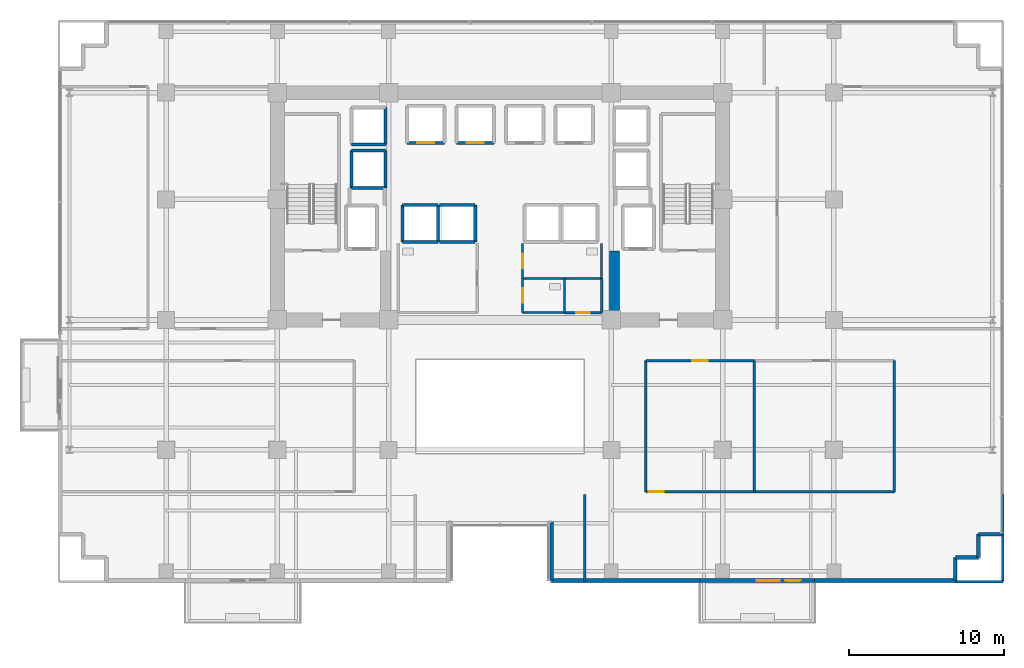
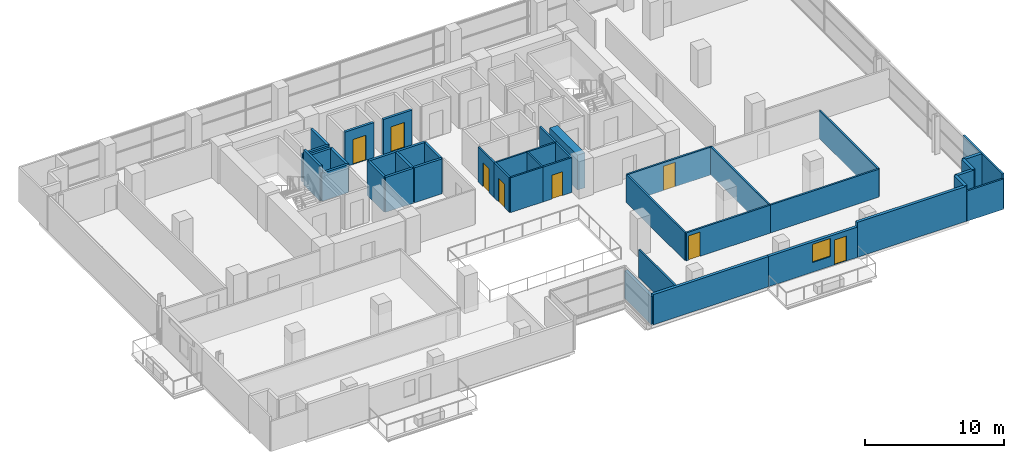
# One storey, part 25 of 31: 41 walls, 8 doors, 1 window, 9 openings.
"""IFC4 building model written with IfcOpenShell, lengths in metres."""

from ifc_helpers import new_model, si_unit, direction, frame, frame_2d, origin, place, context, subcontext, project, spatial, rectangle, extrude, source, transform, mapped, material, layer, layer_set, type_object, element, fill, save


model = new_model("IFC4")

# Units and contexts
model_context = context("Model", 3, precision=1e-05, world=origin(), true_north=direction((0.0, 1.0)))
body_context = subcontext(model_context, "Body", "Model", "MODEL_VIEW")
ifc_project = project(units=[si_unit("LENGTHUNIT", "METRE"), si_unit("AREAUNIT", "SQUARE_METRE"), si_unit("VOLUMEUNIT", "CUBIC_METRE"), si_unit("PLANEANGLEUNIT", "RADIAN"), si_unit("MASSUNIT", "GRAM", prefix="KILO")], contexts=[model_context])

# Site, building, storey
site_placement = place(None, origin())
site = spatial("IfcSite", under=ifc_project, at=site_placement, CompositionType="ELEMENT")
building_placement = place(site_placement, origin())
building = spatial("IfcBuilding", under=site, at=building_placement, Name="Zarnakvel Exchange Tower", CompositionType="ELEMENT")
storey_placement = place(building_placement, frame((0.0, 0.0, 60.39990234375)))
storey = spatial("IfcBuildingStorey", under=building, at=storey_placement, Name="L16", CompositionType="ELEMENT", Elevation=60.39990234375)

# Wall
ifc_material_1 = material(Name="Concrete C80/95", Category="concrete")
ifc_layer_1 = layer(ifc_material_1, 0.64990234375)
ifc_layer_set_1 = layer_set([ifc_layer_1], Name="Concrete C80/95")
wall_type_1 = type_object("IfcWallType", Name="CW-C2", PredefinedType="SHEAR", material=ifc_layer_set_1)
wall_1_placement = place(storey_placement, frame((7.39990234375, -0.75, 0.0), z_axis=(0.0, 0.0, 1.0), x_axis=(0.0, 1.0, 0.0)))
element("IfcWall", 1, at=wall_1_placement, inside=storey, type_object=wall_type_1, Name="L16 Rear Core Shear Wall IE (CW-C2)", PredefinedType="SHEAR", context=body_context, shape_type="SweptSolid", body=[
    extrude(rectangle(XDim=4.0, YDim=0.64990234375, at=frame_2d((2.0, 0.0))), origin(), (0.0, 0.0, 1.0), 3.0751953125),
])

# Wall, openings, door, window
ifc_material_2 = material(Name="Precast concrete C40/50", Category="concrete")
ifc_layer_2 = layer(ifc_material_2, 0.239990234375)
ifc_layer_set_2 = layer_set([ifc_layer_2], Name="Precast concrete C40/50")
wall_type_2 = type_object("IfcWallType", Name="EW-02", PredefinedType="SOLIDWALL", material=ifc_layer_set_2)
wall_2_placement = place(storey_placement, frame((20.35009765625, -18.06005859375, 0.0), z_axis=(0.0, 0.0, 1.0), x_axis=(-1.0, 0.0, 0.0)))
wall_2 = element("IfcWall", 2, at=wall_2_placement, inside=storey, type_object=wall_type_2, Name="L16 Exterior Precast Spandrel Wall EW-BAL-L16-SE (EW-02)", PredefinedType="SOLIDWALL", context=body_context, shape_type="SweptSolid", body=[
    extrude(rectangle(XDim=7.400146484375, YDim=0.239990234375, at=frame_2d((3.7001953125, 0.0))), origin(), (0.0, 0.0, 1.0), 2.6650390625),
])
opening_1_placement = place(wall_2_placement, frame((0.887939453125, 0.0, 0.0)))
opening_1 = element("IfcOpeningElement", 3, at=opening_1_placement, cuts=wall_2, Name="Opening BD-L16-02", PredefinedType="OPENING", context=body_context, shape_type="SweptSolid", body=[
    extrude(rectangle(XDim=1.0, YDim=2.199951171875, at=frame_2d((0.5, 1.10009765625))), frame((0.0, 0.1298828125, 0.0), z_axis=(0.0, -1.0, 0.0), x_axis=(1.0, 0.0, 0.0)), (0.0, 0.0, 1.0), 0.260009765625),
])
opening_2_placement = place(wall_2_placement, frame((2.238037109375, 0.0, 0.85009765625)))
opening_2 = element("IfcOpeningElement", 4, at=opening_2_placement, cuts=wall_2, Name="Opening WN-03", PredefinedType="OPENING", context=body_context, shape_type="SweptSolid", body=[
    extrude(rectangle(XDim=1.5, YDim=1.60009765625, at=frame_2d((0.75, 0.800048828125))), frame((0.0, 0.1298828125, 0.0), z_axis=(0.0, -1.0, 0.0), x_axis=(1.0, 0.0, 0.0)), (0.0, 0.0, 1.0), 0.260009765625),
])
ifc_material_3 = material(Name="Architectural Bronze Anodised Aluminium", Category="aluminium")
door_type_1 = type_object("IfcDoorType", Name="DT-09", OperationType="NOTDEFINED", PredefinedType="DOOR", material=ifc_material_3)
shared_shape_1 = source(origin(), body_context, "Body", "SweptSolid", [
    extrude(rectangle(XDim=1.0, YDim=2.199951171875, at=frame_2d((0.5, 1.10009765625))), frame((0.0, 0.02490234375, 0.0), z_axis=(0.0, -1.0, 0.0), x_axis=(1.0, 0.0, 0.0)), (0.0, 0.0, 1.0), 0.050048828125),
])
door_1_placement = place(opening_1_placement, origin())
door_1 = element("IfcDoor", 5, at=door_1_placement, inside=storey, type_object=door_type_1, Name="L16 Planted Loggia Balcony Door BD-L16-02", OperationType="SINGLE_SWING_LEFT", OverallHeight=2.199951171875, OverallWidth=1.0, PredefinedType="DOOR", context=body_context, shape_type="MappedRepresentation", body=[
    mapped(shared_shape_1, transform((0.0, 0.0, 0.0), x_axis=(1.0, 0.0, 0.0), y_axis=(0.0, 1.0, 0.0), z_axis=(0.0, 0.0, 1.0), scale=1.0)),
])
fill(opening_1, door_1)
ifc_material_4 = material(Name="Double Low-E Laminated Vision Glass", Category="glass")
window_type = type_object("IfcWindowType", Name="WN-03", PartitioningType="SINGLE_PANEL", PredefinedType="WINDOW", material=ifc_material_4)
shared_shape_2 = source(origin(), body_context, "Body", "SweptSolid", [
    extrude(rectangle(XDim=1.5, YDim=1.60009765625, at=frame_2d((0.75, 0.800048828125))), frame((0.0, 0.030029296875, 0.0), z_axis=(0.0, -1.0, 0.0), x_axis=(1.0, 0.0, 0.0)), (0.0, 0.0, 1.0), 0.06005859375),
])
window_placement = place(opening_2_placement, origin())
window = element("IfcWindow", 6, at=window_placement, inside=storey, type_object=window_type, Name="L16 Loggia Daylight Window (WN-03)", OverallHeight=1.60009765625, OverallWidth=1.5, PartitioningType="SINGLE_PANEL", PredefinedType="WINDOW", context=body_context, shape_type="MappedRepresentation", body=[
    mapped(shared_shape_2, transform((0.0, 0.0, 0.0), x_axis=(1.0, 0.0, 0.0), y_axis=(0.0, 1.0, 0.0), z_axis=(0.0, 0.0, 1.0), scale=1.0)),
])
fill(opening_2, window)

# Walls
for number, where, z_axis, x_axis, name in (
    (7, (30.9599609375, -15.06005859375, 0.0), (0.0, 0.0, 1.0), (1.0, 0.0, 0.0), "L16 Exterior Precast Spandrel Wall EWC-L16-11 (EW-02)"),
    (8, (30.9599609375, -16.56005859375, 0.0), (0.0, 0.0, 1.0), (0.0, 1.0, 0.0), "L16 Exterior Precast Spandrel Wall EWC-L16-12 (EW-02)"),
    (9, (29.4599609375, -16.56005859375, 0.0), (0.0, 0.0, 1.0), (1.0, 0.0, 0.0), "L16 Exterior Precast Spandrel Wall EWC-L16-13 (EW-02)"),
    (10, (29.4599609375, -18.06005859375, 0.0), (0.0, 0.0, 1.0), (0.0, 1.0, 0.0), "L16 Exterior Precast Spandrel Wall EWC-L16-14 (EW-02)"),
):
    element("IfcWall", number, at=place(storey_placement, frame(where, z_axis=z_axis, x_axis=x_axis)), inside=storey, type_object=wall_type_2, Name=name, PredefinedType="SOLIDWALL", context=body_context, shape_type="SweptSolid", body=[
        extrude(rectangle(XDim=1.5, YDim=0.239990234375, at=frame_2d((0.75, 0.0))), origin(), (0.0, 0.0, 1.0), 3.0751953125),
    ])
wall_3_placement = place(storey_placement, frame((20.35009765625, -18.06005859375, 0.0), z_axis=(0.0, 0.0, 1.0), x_axis=(1.0, 0.0, 0.0)))
element("IfcWall", 11, at=wall_3_placement, inside=storey, type_object=wall_type_2, Name="L16 Exterior Precast Spandrel Wall EWC-L16-15 (EW-02)", PredefinedType="SOLIDWALL", context=body_context, shape_type="SweptSolid", body=[
    extrude(rectangle(XDim=9.10986328125, YDim=0.239990234375, at=frame_2d((4.554931640625, 0.0))), origin(), (0.0, 0.0, 1.0), 3.0751953125),
])
wall_4_placement = place(storey_placement, frame((3.340087890625, -18.06005859375, 0.0), z_axis=(0.0, 0.0, 1.0), x_axis=(1.0, 0.0, 0.0)))
element("IfcWall", 12, at=wall_4_placement, inside=storey, type_object=wall_type_2, Name="L16 Exterior Precast Spandrel Wall EWC-L16-16 (EW-02)", PredefinedType="SOLIDWALL", context=body_context, shape_type="SweptSolid", body=[
    extrude(rectangle(XDim=9.60986328125, YDim=0.239990234375, at=frame_2d((4.804931640625, 0.0))), origin(), (0.0, 0.0, 1.0), 2.6650390625),
])
wall_5_placement = place(storey_placement, frame((3.340087890625, -14.260009765625, 0.0), z_axis=(0.0, 0.0, 1.0), x_axis=(0.0, -1.0, 0.0)))
element("IfcWall", 13, at=wall_5_placement, inside=storey, type_object=wall_type_2, Name="L16 Exterior Precast Spandrel Wall EWC-L16-17 (EW-02)", PredefinedType="SOLIDWALL", context=body_context, shape_type="SweptSolid", body=[
    extrude(rectangle(XDim=3.800048828125, YDim=0.239990234375, at=frame_2d((1.89990234375, 0.0))), origin(), (0.0, 0.0, 1.0), 2.465087890625),
])

# Wall, opening, door
ifc_material_5 = material(Name="Fire-Rated Gypsum Stud Partition", Category="gypsum")
ifc_layer_3 = layer(ifc_material_5, 0.14990234375)
ifc_layer_set_3 = layer_set([ifc_layer_3], Name="Fire-Rated Gypsum Stud Partition")
wall_type_3 = type_object("IfcWallType", Name="PT-01", PredefinedType="PARTITIONING", material=ifc_layer_set_3)
wall_6_placement = place(storey_placement, frame((6.580078125, -0.72998046875, 0.0), z_axis=(0.0, 0.0, 1.0), x_axis=(-1.0, 0.0, 0.0)))
wall_6 = element("IfcWall", 14, at=wall_6_placement, inside=storey, type_object=wall_type_3, Name="L16 Partition Wall PWALL-L16-020 (PT-01)", PredefinedType="PARTITIONING", context=body_context, shape_type="SweptSolid", body=[
    extrude(rectangle(XDim=2.400146484375, YDim=0.14990234375, at=frame_2d((1.2001953125, 0.0))), origin(), (0.0, 0.0, 1.0), 3.0751953125),
])
opening_3_placement = place(wall_6_placement, frame((0.760009765625, 0.0, 0.0)))
opening_3 = element("IfcOpeningElement", 15, at=opening_3_placement, cuts=wall_6, Name="Opening D-L16-08", PredefinedType="OPENING", context=body_context, shape_type="SweptSolid", body=[
    extrude(rectangle(XDim=0.8798828125, YDim=2.10009765625, at=frame_2d((0.43994140625, 1.050048828125))), frame((0.0, 0.0849609375, 0.0), z_axis=(0.0, -1.0, 0.0), x_axis=(1.0, 0.0, 0.0)), (0.0, 0.0, 1.0), 0.169921875),
])
ifc_material_6 = material(Name="Painted Galvanised Steel S355", Category="steel")
door_type_2 = type_object("IfcDoorType", Name="DT-08", OperationType="NOTDEFINED", PredefinedType="DOOR", material=ifc_material_6)
shared_shape_3 = source(origin(), body_context, "Body", "SweptSolid", [
    extrude(rectangle(XDim=0.8798828125, YDim=2.10009765625, at=frame_2d((0.43994140625, 1.050048828125))), frame((0.0, 0.02490234375, 0.0), z_axis=(0.0, -1.0, 0.0), x_axis=(1.0, 0.0, 0.0)), (0.0, 0.0, 1.0), 0.050048828125),
])
door_2_placement = place(opening_3_placement, origin())
door_2 = element("IfcDoor", 16, at=door_2_placement, inside=storey, type_object=door_type_2, Name="L16 Cleaners Store Door D-L16-08", OperationType="SINGLE_SWING_RIGHT", OverallHeight=2.10009765625, OverallWidth=0.8798828125, PredefinedType="DOOR", context=body_context, shape_type="MappedRepresentation", body=[
    mapped(shared_shape_3, transform((0.0, 0.0, 0.0), x_axis=(1.0, 0.0, 0.0), y_axis=(0.0, 1.0, 0.0), z_axis=(0.0, 0.0, 1.0), scale=1.0)),
])
fill(opening_3, door_2)

# Wall
wall_7_placement = place(storey_placement, frame((6.580078125, 1.47998046875, 0.0), z_axis=(0.0, 0.0, 1.0), x_axis=(0.0, -1.0, 0.0)))
element("IfcWall", 17, at=wall_7_placement, inside=storey, type_object=wall_type_3, Name="L16 Partition Wall PWALL-L16-021 (PT-01)", PredefinedType="PARTITIONING", context=body_context, shape_type="SweptSolid", body=[
    extrude(rectangle(XDim=2.2099609375, YDim=0.14990234375, at=frame_2d((1.10498046875, 0.0))), origin(), (0.0, 0.0, 1.0), 3.0751953125),
])

# Wall, opening, door
wall_8_placement = place(storey_placement, frame((16.444580078125, -12.320068359375, 0.0), z_axis=(0.0, 0.0, 1.0), x_axis=(-1.0, 0.0, 0.0)))
wall_8 = element("IfcWall", 18, at=wall_8_placement, inside=storey, type_object=wall_type_3, Name="L16 Partition Wall PWALL-L16-029 (PT-01)", PredefinedType="PARTITIONING", context=body_context, shape_type="SweptSolid", body=[
    extrude(rectangle(XDim=7.0146484375, YDim=0.14990234375, at=frame_2d((3.50732421875, 0.0))), origin(), (0.0, 0.0, 1.0), 2.465087890625),
])
opening_4_placement = place(wall_8_placement, frame((5.8544921875, 0.0, 0.0)))
opening_4 = element("IfcOpeningElement", 19, at=opening_4_placement, cuts=wall_8, Name="Opening D-L16-13", PredefinedType="OPENING", context=body_context, shape_type="SweptSolid", body=[
    extrude(rectangle(XDim=0.97998046875, YDim=2.14990234375, at=frame_2d((0.489990234375, 1.074951171875))), frame((0.0, 0.0849609375, 0.0), z_axis=(0.0, -1.0, 0.0), x_axis=(1.0, 0.0, 0.0)), (0.0, 0.0, 1.0), 0.169921875),
])
ifc_material_7 = material(Name="Timber Acoustic Veneer", Category="wood")
door_type_3 = type_object("IfcDoorType", Name="DT-05", OperationType="NOTDEFINED", PredefinedType="DOOR", material=ifc_material_7)
shared_shape_4 = source(origin(), body_context, "Body", "SweptSolid", [
    extrude(rectangle(XDim=0.97998046875, YDim=2.14990234375, at=frame_2d((0.489990234375, 1.074951171875))), frame((0.0, 0.02490234375, 0.0), z_axis=(0.0, -1.0, 0.0), x_axis=(1.0, 0.0, 0.0)), (0.0, 0.0, 1.0), 0.050048828125),
])
door_3_placement = place(opening_4_placement, origin())
door_3 = element("IfcDoor", 20, at=door_3_placement, inside=storey, type_object=door_type_3, Name="L16 Brokerage Office Door D-L16-13", OperationType="SINGLE_SWING_LEFT", OverallHeight=2.14990234375, OverallWidth=0.97998046875, PredefinedType="DOOR", context=body_context, shape_type="MappedRepresentation", body=[
    mapped(shared_shape_4, transform((0.0, 0.0, 0.0), x_axis=(1.0, 0.0, 0.0), y_axis=(0.0, 1.0, 0.0), z_axis=(0.0, 0.0, 1.0), scale=1.0)),
])
fill(opening_4, door_3)

wall_9_placement = place(storey_placement, frame((9.429931640625, -3.830078125, 0.0), z_axis=(0.0, 0.0, 1.0), x_axis=(1.0, 0.0, 0.0)))
wall_9 = element("IfcWall", 21, at=wall_9_placement, inside=storey, type_object=wall_type_3, Name="L16 Partition Wall PWALL-L16-030 (PT-01)", PredefinedType="PARTITIONING", context=body_context, shape_type="SweptSolid", body=[
    extrude(rectangle(XDim=7.0146484375, YDim=0.14990234375, at=frame_2d((3.50732421875, 0.0))), origin(), (0.0, 0.0, 1.0), 2.465087890625),
])
opening_5_placement = place(wall_9_placement, frame((3.01708984375, 0.0, 0.0)))
opening_5 = element("IfcOpeningElement", 22, at=opening_5_placement, cuts=wall_9, Name="Opening D-L16-11", PredefinedType="OPENING", context=body_context, shape_type="SweptSolid", body=[
    extrude(rectangle(XDim=0.97998046875, YDim=2.14990234375, at=frame_2d((0.489990234375, 1.074951171875))), frame((0.0, 0.0849609375, 0.0), z_axis=(0.0, -1.0, 0.0), x_axis=(1.0, 0.0, 0.0)), (0.0, 0.0, 1.0), 0.169921875),
])
door_4_placement = place(opening_5_placement, origin())
door_4 = element("IfcDoor", 23, at=door_4_placement, inside=storey, type_object=door_type_3, Name="L16 Seminar Room Door D-L16-11", OperationType="SINGLE_SWING_LEFT", OverallHeight=2.14990234375, OverallWidth=0.97998046875, PredefinedType="DOOR", context=body_context, shape_type="MappedRepresentation", body=[
    mapped(shared_shape_4, transform((0.0, 0.0, 0.0), x_axis=(1.0, 0.0, 0.0), y_axis=(0.0, 1.0, 0.0), z_axis=(0.0, 0.0, 1.0), scale=1.0)),
])
fill(opening_5, door_4)

# Walls
for number, where, z_axis, x_axis, name in (
    (24, (9.429931640625, -12.320068359375, 0.0), (0.0, 0.0, 1.0), (0.0, 1.0, 0.0), "L16 Partition Wall PWALL-L16-031 (PT-01)"),
    (25, (16.444580078125, -3.830078125, 0.0), (0.0, 0.0, 1.0), (0.0, -1.0, 0.0), "L16 Partition Wall PWALL-L16-032 (PT-01)"),
):
    element("IfcWall", number, at=place(storey_placement, frame(where, z_axis=z_axis, x_axis=x_axis)), inside=storey, type_object=wall_type_3, Name=name, PredefinedType="PARTITIONING", context=body_context, shape_type="SweptSolid", body=[
        extrude(rectangle(XDim=8.489990234375, YDim=0.14990234375, at=frame_2d((4.2451171875, 0.0))), origin(), (0.0, 0.0, 1.0), 2.465087890625),
    ])
wall_10_placement = place(storey_placement, frame((25.515380859375, -12.320068359375, 0.0), z_axis=(0.0, 0.0, 1.0), x_axis=(-1.0, 0.0, 0.0)))
element("IfcWall", 26, at=wall_10_placement, inside=storey, type_object=wall_type_3, Name="L16 Partition Wall PWALL-L16-033 (PT-01)", PredefinedType="PARTITIONING", context=body_context, shape_type="SweptSolid", body=[
    extrude(rectangle(XDim=9.07080078125, YDim=0.14990234375, at=frame_2d((4.535400390625, 0.0))), origin(), (0.0, 0.0, 1.0), 2.465087890625),
])
wall_11_placement = place(storey_placement, frame((25.515380859375, -3.830078125, 0.0), z_axis=(0.0, 0.0, 1.0), x_axis=(0.0, -1.0, 0.0)))
element("IfcWall", 27, at=wall_11_placement, inside=storey, type_object=wall_type_3, Name="L16 Partition Wall PWALL-L16-035 (PT-01)", PredefinedType="PARTITIONING", context=body_context, shape_type="SweptSolid", body=[
    extrude(rectangle(XDim=8.489990234375, YDim=0.14990234375, at=frame_2d((4.2451171875, 0.0))), origin(), (0.0, 0.0, 1.0), 2.465087890625),
])
wall_12_placement = place(storey_placement, frame((32.530029296875, -18.1298828125, 0.0), z_axis=(0.0, 0.0, 1.0), x_axis=(-1.0, 0.0, 0.0)))
element("IfcWall", 28, at=wall_12_placement, inside=storey, type_object=wall_type_3, Name="L16 Partition Wall PWALL-L16-036 (PT-01)", PredefinedType="PARTITIONING", context=body_context, shape_type="SweptSolid", body=[
    extrude(rectangle(XDim=3.070068359375, YDim=0.14990234375, at=frame_2d((1.53515625, 0.0))), origin(), (0.0, 0.0, 1.0), 2.6650390625),
])
wall_13_placement = place(storey_placement, frame((5.47998046875, -18.1298828125, 0.0), z_axis=(0.0, 0.0, 1.0), x_axis=(0.0, 1.0, 0.0)))
element("IfcWall", 29, at=wall_13_placement, inside=storey, type_object=wall_type_3, Name="L16 Partition Wall PWALL-L16-037 (PT-01)", PredefinedType="PARTITIONING", context=body_context, shape_type="SweptSolid", body=[
    extrude(rectangle(XDim=5.64990234375, YDim=0.14990234375, at=frame_2d((2.824951171875, 0.0))), origin(), (0.0, 0.0, 1.0), 2.465087890625),
])
wall_14_placement = place(storey_placement, frame((32.530029296875, -12.47998046875, 0.0), z_axis=(0.0, 0.0, 1.0), x_axis=(0.0, -1.0, 0.0)))
element("IfcWall", 30, at=wall_14_placement, inside=storey, type_object=wall_type_3, Name="L16 Partition Wall PWALL-L16-038 (PT-01)", PredefinedType="PARTITIONING", context=body_context, shape_type="SweptSolid", body=[
    extrude(rectangle(XDim=5.64990234375, YDim=0.14990234375, at=frame_2d((2.824951171875, 0.0))), origin(), (0.0, 0.0, 1.0), 3.0751953125),
])
ifc_material_8 = material(Name="Moisture-Resistant Tile-Faced Partition", Category="gypsum")
ifc_layer_4 = layer(ifc_material_8, 0.135009765625)
ifc_layer_set_4 = layer_set([ifc_layer_4], Name="Moisture-Resistant Tile-Faced Partition")
wall_type_4 = type_object("IfcWallType", Name="PT-03", PredefinedType="PARTITIONING", material=ifc_layer_set_4)
wall_15_placement = place(storey_placement, frame((6.580078125, 1.47998046875, 0.0), z_axis=(0.0, 0.0, 1.0), x_axis=(-1.0, 0.0, 0.0)))
element("IfcWall", 31, at=wall_15_placement, inside=storey, type_object=wall_type_4, Name="L16 Partition Wall PWALL-L16-014 (PT-03)", PredefinedType="PARTITIONING", context=body_context, shape_type="SweptSolid", body=[
    extrude(rectangle(XDim=5.110107421875, YDim=0.135009765625, at=frame_2d((2.55517578125, 0.0))), origin(), (0.0, 0.0, 1.0), 3.0751953125),
])

# Wall, opening, door
wall_16_placement = place(storey_placement, frame((1.469970703125, 1.47998046875, 0.0), z_axis=(0.0, 0.0, 1.0), x_axis=(0.0, 1.0, 0.0)))
wall_16 = element("IfcWall", 32, at=wall_16_placement, inside=storey, type_object=wall_type_4, Name="L16 Partition Wall PWALL-L16-015 (PT-03)", PredefinedType="PARTITIONING", context=body_context, shape_type="SweptSolid", body=[
    extrude(rectangle(XDim=2.280029296875, YDim=0.135009765625, at=frame_2d((1.14013671875, 0.0))), origin(), (0.0, 0.0, 1.0), 3.0751953125),
])
opening_6_placement = place(wall_16_placement, frame((0.679931640625, 0.0, 0.0)))
opening_6 = element("IfcOpeningElement", 33, at=opening_6_placement, cuts=wall_16, Name="Opening D-L16-06", PredefinedType="OPENING", context=body_context, shape_type="SweptSolid", body=[
    extrude(rectangle(XDim=0.919921875, YDim=2.10009765625, at=frame_2d((0.4599609375, 1.050048828125))), frame((0.0, 0.077392578125, 0.0), z_axis=(0.0, -1.0, 0.0), x_axis=(1.0, 0.0, 0.0)), (0.0, 0.0, 1.0), 0.155029296875),
])
ifc_material_9 = material(Name="Moisture-Resistant Laminate Timber", Category="wood")
door_type_4 = type_object("IfcDoorType", Name="DT-07", OperationType="NOTDEFINED", PredefinedType="DOOR", material=ifc_material_9)
shared_shape_5 = source(origin(), body_context, "Body", "SweptSolid", [
    extrude(rectangle(XDim=0.919921875, YDim=2.10009765625, at=frame_2d((0.4599609375, 1.050048828125))), frame((0.0, 0.02490234375, 0.0), z_axis=(0.0, -1.0, 0.0), x_axis=(1.0, 0.0, 0.0)), (0.0, 0.0, 1.0), 0.050048828125),
])
door_5_placement = place(opening_6_placement, origin())
door_5 = element("IfcDoor", 34, at=door_5_placement, inside=storey, type_object=door_type_4, Name="L16 Female Toilet Door D-L16-06", OperationType="SINGLE_SWING_RIGHT", OverallHeight=2.10009765625, OverallWidth=0.919921875, PredefinedType="DOOR", context=body_context, shape_type="MappedRepresentation", body=[
    mapped(shared_shape_5, transform((0.0, 0.0, 0.0), x_axis=(1.0, 0.0, 0.0), y_axis=(0.0, 1.0, 0.0), z_axis=(0.0, 0.0, 1.0), scale=1.0)),
])
fill(opening_6, door_5)

# Walls
wall_17_placement = place(storey_placement, frame((6.580078125, 3.760009765625, 0.0), z_axis=(0.0, 0.0, 1.0), x_axis=(0.0, -1.0, 0.0)))
element("IfcWall", 35, at=wall_17_placement, inside=storey, type_object=wall_type_4, Name="L16 Partition Wall PWALL-L16-016 (PT-03)", PredefinedType="PARTITIONING", context=body_context, shape_type="SweptSolid", body=[
    extrude(rectangle(XDim=2.280029296875, YDim=0.135009765625, at=frame_2d((1.14013671875, 0.0))), origin(), (0.0, 0.0, 1.0), 3.0751953125),
])
wall_18_placement = place(storey_placement, frame((4.179931640625, -0.72998046875, 0.0), z_axis=(0.0, 0.0, 1.0), x_axis=(-1.0, 0.0, 0.0)))
element("IfcWall", 36, at=wall_18_placement, inside=storey, type_object=wall_type_4, Name="L16 Partition Wall PWALL-L16-017 (PT-03)", PredefinedType="PARTITIONING", context=body_context, shape_type="SweptSolid", body=[
    extrude(rectangle(XDim=2.7099609375, YDim=0.135009765625, at=frame_2d((1.35498046875, 0.0))), origin(), (0.0, 0.0, 1.0), 3.0751953125),
])

# Wall, opening, door
wall_19_placement = place(storey_placement, frame((1.469970703125, -0.72998046875, 0.0), z_axis=(0.0, 0.0, 1.0), x_axis=(0.0, 1.0, 0.0)))
wall_19 = element("IfcWall", 37, at=wall_19_placement, inside=storey, type_object=wall_type_4, Name="L16 Partition Wall PWALL-L16-018 (PT-03)", PredefinedType="PARTITIONING", context=body_context, shape_type="SweptSolid", body=[
    extrude(rectangle(XDim=2.2099609375, YDim=0.135009765625, at=frame_2d((1.10498046875, 0.0))), origin(), (0.0, 0.0, 1.0), 3.0751953125),
])
opening_7_placement = place(wall_19_placement, frame((0.64990234375, 0.0, 0.0)))
opening_7 = element("IfcOpeningElement", 38, at=opening_7_placement, cuts=wall_19, Name="Opening D-L16-07", PredefinedType="OPENING", context=body_context, shape_type="SweptSolid", body=[
    extrude(rectangle(XDim=0.919921875, YDim=2.10009765625, at=frame_2d((0.4599609375, 1.050048828125))), frame((0.0, 0.077392578125, 0.0), z_axis=(0.0, -1.0, 0.0), x_axis=(1.0, 0.0, 0.0)), (0.0, 0.0, 1.0), 0.155029296875),
])
door_6_placement = place(opening_7_placement, origin())
door_6 = element("IfcDoor", 39, at=door_6_placement, inside=storey, type_object=door_type_4, Name="L16 Accessible Toilet Door D-L16-07", OperationType="SINGLE_SWING_LEFT", OverallHeight=2.10009765625, OverallWidth=0.919921875, PredefinedType="DOOR", context=body_context, shape_type="MappedRepresentation", body=[
    mapped(shared_shape_5, transform((0.0, 0.0, 0.0), x_axis=(1.0, 0.0, 0.0), y_axis=(0.0, 1.0, 0.0), z_axis=(0.0, 0.0, 1.0), scale=1.0)),
])
fill(opening_7, door_6)

# Wall
wall_20_placement = place(storey_placement, frame((4.179931640625, 1.47998046875, 0.0), z_axis=(0.0, 0.0, 1.0), x_axis=(0.0, -1.0, 0.0)))
element("IfcWall", 40, at=wall_20_placement, inside=storey, type_object=wall_type_4, Name="L16 Partition Wall PWALL-L16-019 (PT-03)", PredefinedType="PARTITIONING", context=body_context, shape_type="SweptSolid", body=[
    extrude(rectangle(XDim=2.2099609375, YDim=0.135009765625, at=frame_2d((1.10498046875, 0.0))), origin(), (0.0, 0.0, 1.0), 3.0751953125),
])

# Wall, opening, door
ifc_material_10 = material(Name="Concrete C40/50", Category="concrete")
ifc_layer_5 = layer(ifc_material_10, 0.199951171875)
ifc_layer_set_5 = layer_set([ifc_layer_5], Name="Concrete C40/50")
wall_type_5 = type_object("IfcWallType", Name="SW-01", PredefinedType="SOLIDWALL", material=ifc_layer_set_5)
wall_21_placement = place(storey_placement, frame((-3.60009765625, 10.25, 0.0), z_axis=(0.0, 0.0, 1.0), x_axis=(-1.0, 0.0, 0.0)))
wall_21 = element("IfcWall", 41, at=wall_21_placement, inside=storey, type_object=wall_type_5, Name="L16 PL-01 Hoistway Wall South", PredefinedType="SOLIDWALL", context=body_context, shape_type="SweptSolid", body=[
    extrude(rectangle(XDim=2.39990234375, YDim=0.199951171875, at=frame_2d((1.199951171875, 0.0))), origin(), (0.0, 0.0, 1.0), 3.0751953125),
])
opening_8_placement = place(wall_21_placement, frame((0.64990234375, 0.0, 0.0)))
opening_8 = element("IfcOpeningElement", 42, at=opening_8_placement, cuts=wall_21, Name="Opening LD-PL-01-L16", PredefinedType="OPENING", context=body_context, shape_type="SweptSolid", body=[
    extrude(rectangle(XDim=1.10009765625, YDim=2.199951171875, at=frame_2d((0.550048828125, 1.10009765625))), frame((0.0, 0.10986328125, 0.0), z_axis=(0.0, -1.0, 0.0), x_axis=(1.0, 0.0, 0.0)), (0.0, 0.0, 1.0), 0.219970703125),
])
door_type_5 = type_object("IfcDoorType", Name="LDT-02", OperationType="NOTDEFINED", PredefinedType="DOOR", material=ifc_material_3)
shared_shape_6 = source(origin(), body_context, "Body", "SweptSolid", [
    extrude(rectangle(XDim=1.10009765625, YDim=2.199951171875, at=frame_2d((0.550048828125, 1.10009765625))), frame((0.0, 0.02490234375, 0.0), z_axis=(0.0, -1.0, 0.0), x_axis=(1.0, 0.0, 0.0)), (0.0, 0.0, 1.0), 0.050048828125),
])
door_7_placement = place(opening_8_placement, origin())
door_7 = element("IfcDoor", 43, at=door_7_placement, inside=storey, type_object=door_type_5, Name="L16 PL-01 Lift Landing Door LD-PL-01-L16", OperationType="DOUBLE_DOOR_SLIDING", OverallHeight=2.199951171875, OverallWidth=1.10009765625, PredefinedType="DOOR", context=body_context, shape_type="MappedRepresentation", body=[
    mapped(shared_shape_6, transform((0.0, 0.0, 0.0), x_axis=(1.0, 0.0, 0.0), y_axis=(0.0, 1.0, 0.0), z_axis=(0.0, 0.0, 1.0), scale=1.0)),
])
fill(opening_8, door_7)

wall_22_placement = place(storey_placement, frame((-0.39990234375, 10.25, 0.0), z_axis=(0.0, 0.0, 1.0), x_axis=(-1.0, 0.0, 0.0)))
wall_22 = element("IfcWall", 44, at=wall_22_placement, inside=storey, type_object=wall_type_5, Name="L16 PL-02 Hoistway Wall South", PredefinedType="SOLIDWALL", context=body_context, shape_type="SweptSolid", body=[
    extrude(rectangle(XDim=2.400146484375, YDim=0.199951171875, at=frame_2d((1.2001953125, 0.0))), origin(), (0.0, 0.0, 1.0), 3.0751953125),
])
opening_9_placement = place(wall_22_placement, frame((0.64990234375, 0.0, 0.0)))
opening_9 = element("IfcOpeningElement", 45, at=opening_9_placement, cuts=wall_22, Name="Opening LD-PL-02-L16", PredefinedType="OPENING", context=body_context, shape_type="SweptSolid", body=[
    extrude(rectangle(XDim=1.10009765625, YDim=2.199951171875, at=frame_2d((0.550048828125, 1.10009765625))), frame((0.0, 0.10986328125, 0.0), z_axis=(0.0, -1.0, 0.0), x_axis=(1.0, 0.0, 0.0)), (0.0, 0.0, 1.0), 0.219970703125),
])
door_8_placement = place(opening_9_placement, origin())
door_8 = element("IfcDoor", 46, at=door_8_placement, inside=storey, type_object=door_type_5, Name="L16 PL-02 Lift Landing Door LD-PL-02-L16", OperationType="DOUBLE_DOOR_SLIDING", OverallHeight=2.199951171875, OverallWidth=1.10009765625, PredefinedType="DOOR", context=body_context, shape_type="MappedRepresentation", body=[
    mapped(shared_shape_6, transform((0.0, 0.0, 0.0), x_axis=(1.0, 0.0, 0.0), y_axis=(0.0, 1.0, 0.0), z_axis=(0.0, 0.0, 1.0), scale=1.0)),
])
fill(opening_9, door_8)

# Walls
for number, where, z_axis, x_axis, name in (
    (47, (-4.0, 3.85009765625, 0.0), (0.0, 0.0, 1.0), (-1.0, 0.0, 0.0), "L16 PL-05 Hoistway Wall South"),
    (48, (-6.300048828125, 6.25, 0.0), (0.0, 0.0, 1.0), (1.0, 0.0, 0.0), "L16 PL-05 Hoistway Wall North"),
):
    element("IfcWall", number, at=place(storey_placement, frame(where, z_axis=z_axis, x_axis=x_axis)), inside=storey, type_object=wall_type_5, Name=name, PredefinedType="SOLIDWALL", context=body_context, shape_type="SweptSolid", body=[
        extrude(rectangle(XDim=2.300048828125, YDim=0.199951171875, at=frame_2d((1.14990234375, 0.0))), origin(), (0.0, 0.0, 1.0), 3.0751953125),
    ])
for number, where, z_axis, x_axis, name in (
    (49, (-6.300048828125, 3.85009765625, 0.0), (0.0, 0.0, 1.0), (0.0, 1.0, 0.0), "L16 PL-05 Hoistway Wall West"),
    (50, (-4.0, 6.25, 0.0), (0.0, 0.0, 1.0), (0.0, -1.0, 0.0), "L16 PL-05 Hoistway Wall East"),
):
    element("IfcWall", number, at=place(storey_placement, frame(where, z_axis=z_axis, x_axis=x_axis)), inside=storey, type_object=wall_type_5, Name=name, PredefinedType="SOLIDWALL", context=body_context, shape_type="SweptSolid", body=[
        extrude(rectangle(XDim=2.39990234375, YDim=0.199951171875, at=frame_2d((1.199951171875, 0.0))), origin(), (0.0, 0.0, 1.0), 3.0751953125),
    ])
for number, where, z_axis, x_axis, name in (
    (51, (-1.60009765625, 3.85009765625, 0.0), (0.0, 0.0, 1.0), (-1.0, 0.0, 0.0), "L16 PL-06 Hoistway Wall South"),
    (52, (-3.89990234375, 6.25, 0.0), (0.0, 0.0, 1.0), (1.0, 0.0, 0.0), "L16 PL-06 Hoistway Wall North"),
):
    element("IfcWall", number, at=place(storey_placement, frame(where, z_axis=z_axis, x_axis=x_axis)), inside=storey, type_object=wall_type_5, Name=name, PredefinedType="SOLIDWALL", context=body_context, shape_type="SweptSolid", body=[
        extrude(rectangle(XDim=2.2998046875, YDim=0.199951171875, at=frame_2d((1.14990234375, 0.0))), origin(), (0.0, 0.0, 1.0), 3.0751953125),
    ])
wall_23_placement = place(storey_placement, frame((-1.60009765625, 6.25, 0.0), z_axis=(0.0, 0.0, 1.0), x_axis=(0.0, -1.0, 0.0)))
element("IfcWall", 53, at=wall_23_placement, inside=storey, type_object=wall_type_5, Name="L16 PL-06 Hoistway Wall East", PredefinedType="SOLIDWALL", context=body_context, shape_type="SweptSolid", body=[
    extrude(rectangle(XDim=2.39990234375, YDim=0.199951171875, at=frame_2d((1.199951171875, 0.0))), origin(), (0.0, 0.0, 1.0), 3.0751953125),
])
for number, where, z_axis, x_axis, name in (
    (54, (-7.39990234375, 7.35009765625, 0.0), (0.0, 0.0, 1.0), (-1.0, 0.0, 0.0), "L16 PL-09 Hoistway Wall South"),
    (55, (-9.60009765625, 9.75, 0.0), (0.0, 0.0, 1.0), (1.0, 0.0, 0.0), "L16 PL-09 Hoistway Wall North"),
):
    element("IfcWall", number, at=place(storey_placement, frame(where, z_axis=z_axis, x_axis=x_axis)), inside=storey, type_object=wall_type_5, Name=name, PredefinedType="SOLIDWALL", context=body_context, shape_type="SweptSolid", body=[
        extrude(rectangle(XDim=2.2001953125, YDim=0.199951171875, at=frame_2d((1.10009765625, 0.0))), origin(), (0.0, 0.0, 1.0), 2.465087890625),
    ])
wall_24_placement = place(storey_placement, frame((-9.60009765625, 7.35009765625, 0.0), z_axis=(0.0, 0.0, 1.0), x_axis=(0.0, 1.0, 0.0)))
element("IfcWall", 56, at=wall_24_placement, inside=storey, type_object=wall_type_5, Name="L16 PL-09 Hoistway Wall West", PredefinedType="SOLIDWALL", context=body_context, shape_type="SweptSolid", body=[
    extrude(rectangle(XDim=2.39990234375, YDim=0.199951171875, at=frame_2d((1.199951171875, 0.0))), origin(), (0.0, 0.0, 1.0), 3.0751953125),
])
wall_25_placement = place(storey_placement, frame((-7.39990234375, 9.75, 0.0), z_axis=(0.0, 0.0, 1.0), x_axis=(0.0, -1.0, 0.0)))
element("IfcWall", 57, at=wall_25_placement, inside=storey, type_object=wall_type_5, Name="L16 PL-09 Hoistway Wall East", PredefinedType="SOLIDWALL", context=body_context, shape_type="SweptSolid", body=[
    extrude(rectangle(XDim=2.39990234375, YDim=0.199951171875, at=frame_2d((1.199951171875, 0.0))), origin(), (0.0, 0.0, 1.0), 2.465087890625),
])
wall_26_placement = place(storey_placement, frame((-7.39990234375, 10.14990234375, 0.0), z_axis=(0.0, 0.0, 1.0), x_axis=(-1.0, 0.0, 0.0)))
element("IfcWall", 58, at=wall_26_placement, inside=storey, type_object=wall_type_5, Name="L16 PL-10 Hoistway Wall South", PredefinedType="SOLIDWALL", context=body_context, shape_type="SweptSolid", body=[
    extrude(rectangle(XDim=2.2001953125, YDim=0.199951171875, at=frame_2d((1.10009765625, 0.0))), origin(), (0.0, 0.0, 1.0), 2.465087890625),
])
wall_27_placement = place(storey_placement, frame((-7.39990234375, 12.550048828125, 0.0), z_axis=(0.0, 0.0, 1.0), x_axis=(0.0, -1.0, 0.0)))
element("IfcWall", 59, at=wall_27_placement, inside=storey, type_object=wall_type_5, Name="L16 PL-10 Hoistway Wall East", PredefinedType="SOLIDWALL", context=body_context, shape_type="SweptSolid", body=[
    extrude(rectangle(XDim=2.400146484375, YDim=0.199951171875, at=frame_2d((1.2001953125, 0.0))), origin(), (0.0, 0.0, 1.0), 2.465087890625),
])

save(model, "model.ifc")
